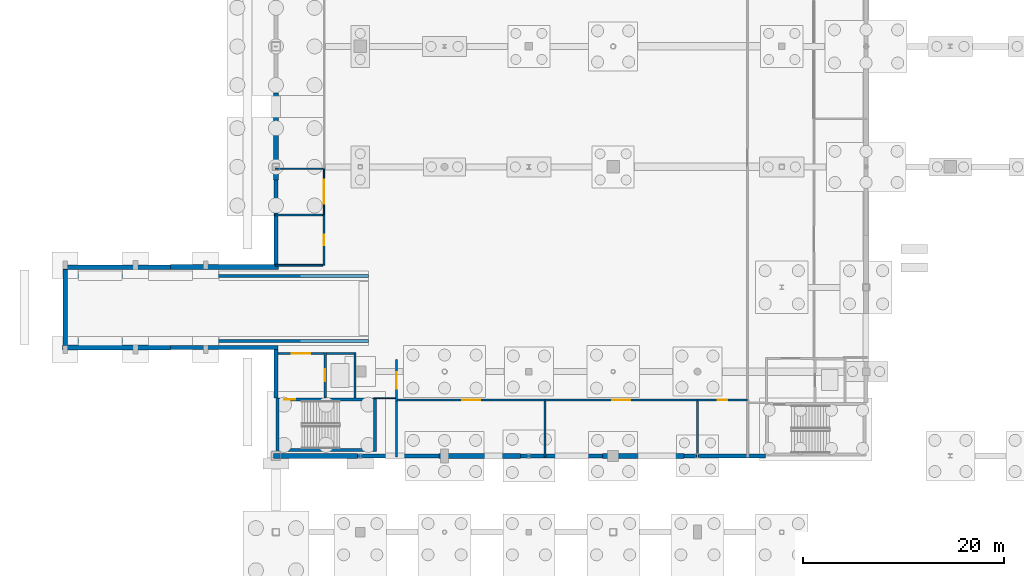
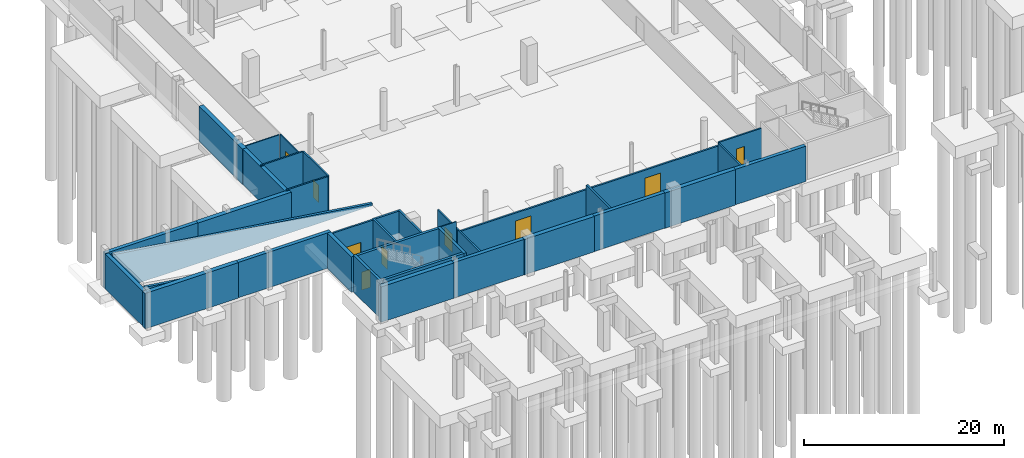
# One storey, part 25 of 34: 37 walls, 9 doors, 9 openings.
"""IFC4 building model written with IfcOpenShell, lengths in metres."""

import ifcopenshell
import ifcopenshell.guid

model = None  # the IFC model being written
_history = None  # IfcOwnerHistory: only IFC2X3 demands one
_inside = {}  # id of a spatial element -> (the spatial element, [elements in it])
_under = {}  # id of a project, library or spatial element -> (it, [spatial elements below it])
_declared = {}  # id of a project -> (the project, [libraries it declares])
_typed = {}  # id of a type object -> (the type object, [elements of that type])
_made_of = {}  # id of a material, layer set ... -> (it, [elements and type objects made of it])


def new_model(schema):
    """Start an empty IFC model of exactly this schema.

    Asked for "IFC4X3", IfcOpenShell would pick the latest addendum, in which some entities
    have other attributes; the version numbers below select the first issue.
    IFC2X3 requires an IfcOwnerHistory on every rooted entity: one is made here for all.
    """
    global model, _history
    if schema == "IFC4X3":
        model = ifcopenshell.file(schema_version=(4, 3, 0, 0))
    else:
        model = ifcopenshell.file(schema=schema)
    _inside.clear()
    _under.clear()
    _declared.clear()
    _typed.clear()
    _made_of.clear()
    _history = None
    if model.schema == "IFC2X3":
        org = make("IfcOrganization", Name="unknown")
        user = make(
            "IfcPersonAndOrganization",
            ThePerson=make("IfcPerson", FamilyName="unknown"),
            TheOrganization=org,
        )
        app = make(
            "IfcApplication",
            ApplicationDeveloper=org,
            Version="unknown",
            ApplicationFullName="unknown",
            ApplicationIdentifier="unknown",
        )
        _history = make(
            "IfcOwnerHistory",
            OwningUser=user,
            OwningApplication=app,
            ChangeAction="ADDED",
            CreationDate=0,
        )
    return model


def make(cls, **values):
    """One entity of the class cls with the attributes given. An attribute that is None is left unset."""
    return model.create_entity(
        cls, **{name: value for name, value in values.items() if value is not None}
    )


def rooted(cls, **values):
    """An entity with a GlobalId (a new one), such as an element, a storey or a relation."""
    return make(cls, GlobalId=ifcopenshell.guid.new(), OwnerHistory=_history, **values)


def si_unit(unit_type, name, prefix=None):
    """IfcSIUnit, for example si_unit("LENGTHUNIT", "METRE", prefix="MILLI")."""
    return make("IfcSIUnit", UnitType=unit_type, Prefix=prefix, Name=name)


def assignment(units):
    """IfcUnitAssignment: the units of a project."""
    return None if units is None else make("IfcUnitAssignment", Units=units)


def point(xyz):
    """IfcCartesianPoint."""
    return None if xyz is None else make("IfcCartesianPoint", Coordinates=xyz)


def direction(xyz):
    """IfcDirection."""
    return None if xyz is None else make("IfcDirection", DirectionRatios=xyz)


def frame(location, z_axis=None, x_axis=None):
    """IfcAxis2Placement3D, a coordinate frame: its origin and axes. An axis left out is left unset."""
    return make(
        "IfcAxis2Placement3D",
        Location=point(location),
        Axis=direction(z_axis),
        RefDirection=direction(x_axis),
    )


def frame_2d(location, x_axis=None):
    """IfcAxis2Placement2D, a coordinate frame in the plane: its origin and x axis."""
    return make(
        "IfcAxis2Placement2D", Location=point(location), RefDirection=direction(x_axis)
    )


def origin():
    """The frame at (0, 0, 0) with its axes left unset."""
    return frame((0.0, 0.0, 0.0))


def place(relative_to, where):
    """IfcLocalPlacement: puts the frame where relative to a parent placement (None: the world)."""
    return make(
        "IfcLocalPlacement", PlacementRelTo=relative_to, RelativePlacement=where
    )


def context(
    kind, dimensions, precision=None, world=None, true_north=None, identifier=None
):
    """IfcGeometricRepresentationContext, for example the 3D "Model" context."""
    return make(
        "IfcGeometricRepresentationContext",
        ContextIdentifier=identifier,
        ContextType=kind,
        CoordinateSpaceDimension=dimensions,
        Precision=precision,
        WorldCoordinateSystem=world,
        TrueNorth=true_north,
    )


def subcontext(parent, identifier, kind, view, scale=None):
    """IfcGeometricRepresentationSubContext, for example "Body" below "Model"."""
    return make(
        "IfcGeometricRepresentationSubContext",
        ContextIdentifier=identifier,
        ContextType=kind,
        ParentContext=parent,
        TargetScale=scale,
        TargetView=view,
    )


def project(units=None, contexts=None):
    """IfcProject with its units and contexts."""
    return rooted(
        "IfcProject",
        Name="project",
        RepresentationContexts=contexts,
        UnitsInContext=assignment(units),
    )


def spatial(cls, under=None, at=None, **own):
    """A site, building, storey or space (cls), placed at a placement, below another one or the project."""
    s = rooted(cls, ObjectPlacement=at, **own)
    if under is not None:
        _under.setdefault(under.id(), (under, []))[1].append(s)
    return s


def polyline(points):
    """IfcPolyline through the points."""
    return make("IfcPolyline", Points=[point(p) for p in points])


def profile(cls, at=None, kind="AREA", **sizes):
    """A parametric profile (cls). Its sizes go by their IFC names, for example OverallWidth=200.0."""
    return make(cls, ProfileType=kind, Position=at, **sizes)


def rectangle(**sizes):
    """IfcRectangleProfileDef."""
    return profile("IfcRectangleProfileDef", **sizes)


def outline(outer, holes=None, kind="AREA"):
    """IfcArbitraryClosedProfileDef: a profile drawn as a closed curve; with holes, ...WithVoids."""
    if holes is None:
        return make("IfcArbitraryClosedProfileDef", ProfileType=kind, OuterCurve=outer)
    return make(
        "IfcArbitraryProfileDefWithVoids",
        ProfileType=kind,
        OuterCurve=outer,
        InnerCurves=holes,
    )


def extrude(swept, where, along, depth):
    """IfcExtrudedAreaSolid: the profile swept, set in the frame where, extruded along a direction by depth."""
    return make(
        "IfcExtrudedAreaSolid",
        SweptArea=swept,
        Position=where,
        ExtrudedDirection=direction(along),
        Depth=depth,
    )


def shape(context_of_items, identifier, shape_type, items):
    """IfcShapeRepresentation: the items that make up one representation, for example the "Body"."""
    return make(
        "IfcShapeRepresentation",
        ContextOfItems=context_of_items,
        RepresentationIdentifier=identifier,
        RepresentationType=shape_type,
        Items=items,
    )


def material(Name=None, Category=None):
    """IfcMaterial."""
    return make("IfcMaterial", Name=Name, Category=Category)


def layer(
    of_material, thickness, ventilated=None, Name=None, Category=None, Priority=None
):
    """IfcMaterialLayer: one layer of a wall or slab, of a material (None: an air gap)."""
    return make(
        "IfcMaterialLayer",
        Material=of_material,
        LayerThickness=thickness,
        IsVentilated=ventilated,
        Name=Name,
        Category=Category,
        Priority=Priority,
    )


def layer_set(layers, Name=None):
    """IfcMaterialLayerSet."""
    return make("IfcMaterialLayerSet", MaterialLayers=layers, LayerSetName=Name)


def made_of(thing, what):
    """Note that an element or type object is made of a material, layer set ...; save() writes the relation."""
    if what is not None:
        _made_of.setdefault(what.id(), (what, []))[1].append(thing)
    return thing


def type_object(cls, material=None, **own):
    """A type object (cls), such as IfcWallType, which elements share."""
    return made_of(rooted(cls, **own), material)


def element(
    cls,
    number,
    at=None,
    inside=None,
    cuts=None,
    type_object=None,
    material=None,
    context=None,
    identifier="Body",
    shape_type=None,
    held_by="IfcProductDefinitionShape",
    body=None,
    shapes=None,
    **own,
):
    """One element of the class cls, such as IfcWall. Its Tag is "e" and its number.

    at: its placement. inside: the storey or other place that contains it. cuts: it is an
    opening in that element (IfcRelVoidsElement). A single representation is given by context,
    identifier, shape_type and body (its items); several are given by shapes. held_by: the class
    of the entity that holds the representations. save() writes the other relations.
    """
    e = rooted(cls, Tag="e%d" % number, ObjectPlacement=at, **own)
    if body is not None:
        shapes = [shape(context, identifier, shape_type, body)]
    if shapes is not None:
        e.Representation = make(held_by, Representations=shapes)
    if inside is not None:
        _inside.setdefault(inside.id(), (inside, []))[1].append(e)
    if cuts is not None:
        rooted(
            "IfcRelVoidsElement", RelatingBuildingElement=cuts, RelatedOpeningElement=e
        )
    if type_object is not None:
        _typed.setdefault(type_object.id(), (type_object, []))[1].append(e)
    return made_of(e, material)


def fill(opening, filler):
    """IfcRelFillsElement: the door or window that sits in an opening."""
    return rooted(
        "IfcRelFillsElement",
        RelatingOpeningElement=opening,
        RelatedBuildingElement=filler,
    )


def aggregate(whole, parts):
    """IfcRelAggregates: a whole, such as a stair, and the parts it consists of."""
    return rooted("IfcRelAggregates", RelatingObject=whole, RelatedObjects=parts)


def save(model, path):
    """Write the relations noted so far, then the file.

    IfcRelAggregates (storeys below a building ...), IfcRelContainedInSpatialStructure (elements
    in a storey), IfcRelDefinesByType, IfcRelAssociatesMaterial and IfcRelDeclares: one each for
    every whole, place, type object, material and project.
    """
    for whole, parts in _under.values():
        aggregate(whole, parts)
    for where, things in _inside.values():
        rooted(
            "IfcRelContainedInSpatialStructure",
            RelatedElements=things,
            RelatingStructure=where,
        )
    for kind, things in _typed.values():
        rooted("IfcRelDefinesByType", RelatedObjects=things, RelatingType=kind)
    for what, things in _made_of.values():
        rooted("IfcRelAssociatesMaterial", RelatedObjects=things, RelatingMaterial=what)
    for by, libraries in _declared.values():
        rooted("IfcRelDeclares", RelatingContext=by, RelatedDefinitions=libraries)
    model.write(path)


model = new_model("IFC4")

# Units and contexts
model_context = context("Model", 3, precision=1e-05, world=origin(), true_north=direction((0.0, 1.0)))
body_context = subcontext(model_context, "Body", "Model", "MODEL_VIEW")
ifc_project = project(units=[si_unit("LENGTHUNIT", "METRE"), si_unit("AREAUNIT", "SQUARE_METRE"), si_unit("VOLUMEUNIT", "CUBIC_METRE"), si_unit("PLANEANGLEUNIT", "RADIAN"), si_unit("MASSUNIT", "GRAM", prefix="KILO")], contexts=[model_context])

# Site, building, storey
site_placement = place(None, origin())
site = spatial("IfcSite", under=ifc_project, at=site_placement, CompositionType="ELEMENT")
building_placement = place(site_placement, origin())
building = spatial("IfcBuilding", under=site, at=building_placement, Name="Larkvane Passage Sports Hall", CompositionType="ELEMENT")
storey_placement = place(building_placement, frame((0.0, 0.0, -4.800048828125)))
storey = spatial("IfcBuildingStorey", under=building, at=storey_placement, Name="B01", CompositionType="ELEMENT", Elevation=-4.800048828125)

# Walls
ifc_material_1 = material(Name="Concrete C50/60", Category="concrete")
ifc_layer_1 = layer(ifc_material_1, 0.300048828125)
ifc_layer_set_1 = layer_set([ifc_layer_1], Name="Concrete C50/60")
wall_type_1 = type_object("IfcWallType", Name="WL-CORE-300", PredefinedType="SHEAR", material=ifc_layer_set_1)
for number, where, z_axis, x_axis, name in (
    (1, (34.949951171875, 23.25, 0.0), (0.0, 0.0, 1.0), (0.0, 1.0, 0.0), "Core shear wall WAL-CORE-C1-B01-W"),
    (2, (44.64990234375, 28.550048828125, 0.0), (0.0, 0.0, 1.0), (0.0, -1.0, 0.0), "Core shear wall WAL-CORE-C1-B01-E"),
):
    element("IfcWall", number, at=place(storey_placement, frame(where, z_axis=z_axis, x_axis=x_axis)), inside=storey, type_object=wall_type_1, Name=name, PredefinedType="SHEAR", context=body_context, shape_type="SweptSolid", body=[
        extrude(rectangle(XDim=5.300048828125, YDim=0.300048828125, at=frame_2d((2.64990234375, 0.0))), origin(), (0.0, 0.0, 1.0), 4.510009765625),
    ])
wall_1_placement = place(storey_placement, frame((44.5, 23.39990234375, 0.0), z_axis=(0.0, 0.0, 1.0), x_axis=(-1.0, 0.0, 0.0)))
element("IfcWall", 3, at=wall_1_placement, inside=storey, type_object=wall_type_1, Name="Core shear wall WAL-CORE-C1-B01-S", PredefinedType="SHEAR", context=body_context, shape_type="SweptSolid", body=[
    extrude(rectangle(XDim=9.39990234375, YDim=0.300048828125, at=frame_2d((4.699951171875, 0.0))), origin(), (0.0, 0.0, 1.0), 4.510009765625),
])

# Wall, opening, door
wall_2_placement = place(storey_placement, frame((35.10009765625, 28.39990234375, 0.0), z_axis=(0.0, 0.0, 1.0), x_axis=(1.0, 0.0, 0.0)))
wall_2 = element("IfcWall", 4, at=wall_2_placement, inside=storey, type_object=wall_type_1, Name="Core shear wall WAL-CORE-C1-B01-N", PredefinedType="SHEAR", context=body_context, shape_type="SweptSolid", body=[
    extrude(rectangle(XDim=9.39990234375, YDim=0.300048828125, at=frame_2d((4.699951171875, 0.0))), origin(), (0.0, 0.0, 1.0), 4.510009765625),
])
opening_1_placement = place(wall_2_placement, frame((0.550048828125, 0.0, 0.0)))
opening_1 = element("IfcOpeningElement", 5, at=opening_1_placement, cuts=wall_2, Name="Opening DF-01", PredefinedType="OPENING", context=body_context, shape_type="SweptSolid", body=[
    extrude(rectangle(XDim=1.050048828125, YDim=2.199951171875, at=frame_2d((0.52490234375, 1.10009765625))), frame((0.0, 0.159912109375, 0.0), z_axis=(0.0, -1.0, 0.0), x_axis=(1.0, 0.0, 0.0)), (0.0, 0.0, 1.0), 0.320068359375),
])
ifc_material_2 = material(Name="Steel S355JR smoke-sealed fire door", Category="steel")
door_type_1 = type_object("IfcDoorType", Name="DR-FIRE-1050", OperationType="NOTDEFINED", PredefinedType="DOOR", material=ifc_material_2)
door_1_placement = place(opening_1_placement, origin())
door_1 = element("IfcDoor", 6, at=door_1_placement, inside=storey, type_object=door_type_1, Name="Stair ST-01 B01 fire door", OperationType="SINGLE_SWING_LEFT", OverallHeight=2.199951171875, OverallWidth=1.050048828125, PredefinedType="DOOR", context=body_context, shape_type="SweptSolid", body=[
    extrude(rectangle(XDim=1.050048828125, YDim=2.199951171875, at=frame_2d((0.52490234375, 1.10009765625))), frame((0.0, 0.02490234375, 0.0), z_axis=(0.0, -1.0, 0.0), x_axis=(1.0, 0.0, 0.0)), (0.0, 0.0, 1.0), 0.050048828125),
])
fill(opening_1, door_1)

ifc_material_3 = material(Name="Concrete C40/50", Category="concrete")
ifc_layer_2 = layer(ifc_material_3, 0.199951171875)
ifc_layer_set_2 = layer_set([ifc_layer_2], Name="Concrete C40/50")
wall_type_2 = type_object("IfcWallType", Name="WL-LOBBY-200", PredefinedType="SOLIDWALL", material=ifc_layer_set_2)
wall_3_placement = place(storey_placement, frame((35.0, 33.0, 0.0), z_axis=(0.0, 0.0, 1.0), x_axis=(1.0, 0.0, 0.0)))
wall_3 = element("IfcWall", 7, at=wall_3_placement, inside=storey, type_object=wall_type_2, Name="Protected stair lobby wall C1 B01", PredefinedType="SOLIDWALL", context=body_context, shape_type="SweptSolid", body=[
    extrude(rectangle(XDim=4.60009765625, YDim=0.199951171875, at=frame_2d((2.300048828125, 0.0))), origin(), (0.0, 0.0, 1.0), 4.449951171875),
])
opening_2_placement = place(wall_3_placement, frame((1.39990234375, 0.0, 0.0)))
opening_2 = element("IfcOpeningElement", 8, at=opening_2_placement, cuts=wall_3, Name="Opening DF-02", PredefinedType="OPENING", context=body_context, shape_type="SweptSolid", body=[
    extrude(rectangle(XDim=1.800048828125, YDim=2.199951171875, at=frame_2d((0.89990234375, 1.10009765625))), frame((0.0, 0.10986328125, 0.0), z_axis=(0.0, -1.0, 0.0), x_axis=(1.0, 0.0, 0.0)), (0.0, 0.0, 1.0), 0.219970703125),
])
ifc_material_4 = material(Name="Steel S355JR double smoke-sealed fire door", Category="steel")
door_type_2 = type_object("IfcDoorType", Name="DR-FIRE-1800", OperationType="DOUBLE_DOOR_SINGLE_SWING", PredefinedType="DOOR", material=ifc_material_4)
door_2_placement = place(opening_2_placement, origin())
door_2 = element("IfcDoor", 9, at=door_2_placement, inside=storey, type_object=door_type_2, Name="Lobby smoke door C1 B01", OperationType="DOUBLE_DOOR_SINGLE_SWING", OverallHeight=2.199951171875, OverallWidth=1.800048828125, PredefinedType="DOOR", context=body_context, shape_type="SweptSolid", body=[
    extrude(rectangle(XDim=1.800048828125, YDim=2.199951171875, at=frame_2d((0.89990234375, 1.10009765625))), frame((0.0, 0.02490234375, 0.0), z_axis=(0.0, -1.0, 0.0), x_axis=(1.0, 0.0, 0.0)), (0.0, 0.0, 1.0), 0.050048828125),
])
fill(opening_2, door_2)

# Wall
wall_4_placement = place(storey_placement, frame((46.800048828125, 22.68603515625, 0.0), z_axis=(0.0, 0.0, 1.0), x_axis=(0.0, 1.0, 0.0)))
element("IfcWall", 10, at=wall_4_placement, inside=storey, type_object=wall_type_2, Name="Interior partition WAL-PART-B01-0001", PredefinedType="SOLIDWALL", context=body_context, shape_type="SweptSolid", body=[
    extrude(rectangle(XDim=5.69384765625, YDim=0.199951171875, at=frame_2d((2.846923828125, 0.0))), origin(), (0.0, 0.0, 1.0), 3.52001953125),
])

# Wall, opening, door
wall_5_placement = place(storey_placement, frame((46.919921875, 28.3798828125, 0.0), z_axis=(0.0, 0.0, 1.0), x_axis=(1.0, 0.0, 0.0)))
wall_5 = element("IfcWall", 11, at=wall_5_placement, inside=storey, type_object=wall_type_2, Name="Interior partition WAL-PART-B01-0002", PredefinedType="SOLIDWALL", context=body_context, shape_type="SweptSolid", body=[
    extrude(rectangle(XDim=14.68017578125, YDim=0.199951171875, at=frame_2d((7.340087890625, 0.0))), origin(), (0.0, 0.0, 1.0), 3.27001953125),
])
opening_3_placement = place(wall_5_placement, frame((6.43994140625, 0.0, 0.0)))
opening_3 = element("IfcOpeningElement", 12, at=opening_3_placement, cuts=wall_5, Name="Opening DR-01", PredefinedType="OPENING", context=body_context, shape_type="SweptSolid", body=[
    extrude(rectangle(XDim=1.800048828125, YDim=2.300048828125, at=frame_2d((0.89990234375, 1.14990234375))), frame((0.0, 0.10986328125, 0.0), z_axis=(0.0, -1.0, 0.0), x_axis=(1.0, 0.0, 0.0)), (0.0, 0.0, 1.0), 0.219970703125),
])
ifc_material_5 = material(Name="Louvred acoustic steel S355JR plant door", Category="steel")
door_type_3 = type_object("IfcDoorType", Name="DR-PLANT-1800", OperationType="DOUBLE_DOOR_SINGLE_SWING", PredefinedType="DOOR", material=ifc_material_5)
door_3_placement = place(opening_3_placement, origin())
door_3 = element("IfcDoor", 13, at=door_3_placement, inside=storey, type_object=door_type_3, Name="Interior door B01-0004", OperationType="DOUBLE_DOOR_SINGLE_SWING", OverallHeight=2.300048828125, OverallWidth=1.800048828125, PredefinedType="DOOR", context=body_context, shape_type="SweptSolid", body=[
    extrude(rectangle(XDim=1.800048828125, YDim=2.300048828125, at=frame_2d((0.89990234375, 1.14990234375))), frame((0.0, 0.02490234375, 0.0), z_axis=(0.0, -1.0, 0.0), x_axis=(1.0, 0.0, 0.0)), (0.0, 0.0, 1.0), 0.050048828125),
])
fill(opening_3, door_3)

# Wall
wall_6_placement = place(storey_placement, frame((61.60009765625, 28.260009765625, 0.0), z_axis=(0.0, 0.0, 1.0), x_axis=(0.0, -1.0, 0.0)))
element("IfcWall", 14, at=wall_6_placement, inside=storey, type_object=wall_type_2, Name="Interior partition WAL-PART-B01-0003", PredefinedType="SOLIDWALL", context=body_context, shape_type="SweptSolid", body=[
    extrude(rectangle(XDim=5.573974609375, YDim=0.199951171875, at=frame_2d((2.787109375, 0.0))), origin(), (0.0, 0.0, 1.0), 3.8701171875),
])

# Wall, opening, door
wall_7_placement = place(storey_placement, frame((61.6201171875, 28.3798828125, 0.0), z_axis=(0.0, 0.0, 1.0), x_axis=(1.0, 0.0, 0.0)))
wall_7 = element("IfcWall", 15, at=wall_7_placement, inside=storey, type_object=wall_type_2, Name="Interior partition WAL-PART-B01-0004", PredefinedType="SOLIDWALL", context=body_context, shape_type="SweptSolid", body=[
    extrude(rectangle(XDim=15.179931640625, YDim=0.199951171875, at=frame_2d((7.58984375, 0.0))), origin(), (0.0, 0.0, 1.0), 3.27001953125),
])
opening_4_placement = place(wall_7_placement, frame((6.68994140625, 0.0, 0.0)))
opening_4 = element("IfcOpeningElement", 16, at=opening_4_placement, cuts=wall_7, Name="Opening DR-01", PredefinedType="OPENING", context=body_context, shape_type="SweptSolid", body=[
    extrude(rectangle(XDim=1.800048828125, YDim=2.300048828125, at=frame_2d((0.89990234375, 1.14990234375))), frame((0.0, 0.10986328125, 0.0), z_axis=(0.0, -1.0, 0.0), x_axis=(1.0, 0.0, 0.0)), (0.0, 0.0, 1.0), 0.219970703125),
])
door_4_placement = place(opening_4_placement, origin())
door_4 = element("IfcDoor", 17, at=door_4_placement, inside=storey, type_object=door_type_3, Name="Interior door B01-0003", OperationType="DOUBLE_DOOR_SINGLE_SWING", OverallHeight=2.300048828125, OverallWidth=1.800048828125, PredefinedType="DOOR", context=body_context, shape_type="SweptSolid", body=[
    extrude(rectangle(XDim=1.800048828125, YDim=2.300048828125, at=frame_2d((0.89990234375, 1.14990234375))), frame((0.0, 0.02490234375, 0.0), z_axis=(0.0, -1.0, 0.0), x_axis=(1.0, 0.0, 0.0)), (0.0, 0.0, 1.0), 0.050048828125),
])
fill(opening_4, door_4)

# Walls
wall_8_placement = place(storey_placement, frame((76.800048828125, 28.260009765625, 0.0), z_axis=(0.0, 0.0, 1.0), x_axis=(0.0, -1.0, 0.0)))
element("IfcWall", 18, at=wall_8_placement, inside=storey, type_object=wall_type_2, Name="Interior partition WAL-PART-B01-0005", PredefinedType="SOLIDWALL", context=body_context, shape_type="SweptSolid", body=[
    extrude(rectangle(XDim=5.573974609375, YDim=0.199951171875, at=frame_2d((2.787109375, 0.0))), origin(), (0.0, 0.0, 1.0), 3.6201171875),
])
ifc_material_6 = material(Name="Gypsum twin-stud acoustic partition")
ifc_layer_3 = layer(ifc_material_6, 0.10009765625)
ifc_layer_set_3 = layer_set([ifc_layer_3], Name="Gypsum twin-stud acoustic partition")
wall_type_3 = type_object("IfcWallType", Name="WL-PART-100", PredefinedType="PARTITIONING", material=ifc_layer_set_3)
wall_9_placement = place(storey_placement, frame((46.679931640625, 28.550048828125, 0.0), z_axis=(0.0, 0.0, 1.0), x_axis=(-1.0, 0.0, 0.0)))
element("IfcWall", 19, at=wall_9_placement, inside=storey, type_object=wall_type_3, Name="Interior partition WAL-PART-B01-0033", PredefinedType="PARTITIONING", context=body_context, shape_type="SweptSolid", body=[
    extrude(rectangle(XDim=2.139892578125, YDim=0.10009765625, at=frame_2d((1.06982421875, 0.0))), origin(), (0.0, 0.0, 1.0), 4.449951171875),
])

# Wall, opening, door
ifc_material_7 = material(Name="Gypsum twin-stud fire-rated partition")
ifc_layer_4 = layer(ifc_material_7, 0.125)
ifc_layer_set_4 = layer_set([ifc_layer_4], Name="Gypsum twin-stud fire-rated partition")
wall_type_4 = type_object("IfcWallType", Name="WL-PART-125", PredefinedType="PARTITIONING", material=ifc_layer_set_4)
wall_10_placement = place(storey_placement, frame((39.580078125, 51.39990234375, 0.0), z_axis=(0.0, 0.0, 1.0), x_axis=(0.0, -1.0, 0.0)))
wall_10 = element("IfcWall", 20, at=wall_10_placement, inside=storey, type_object=wall_type_4, Name="Interior partition WAL-PART-B01-0027", PredefinedType="PARTITIONING", context=body_context, shape_type="SweptSolid", body=[
    extrude(rectangle(XDim=4.579833984375, YDim=0.125, at=frame_2d((2.2900390625, 0.0))), origin(), (0.0, 0.0, 1.0), 3.719970703125),
])
opening_5_placement = place(wall_10_placement, frame((1.090087890625, 0.0, 0.0)))
opening_5 = element("IfcOpeningElement", 21, at=opening_5_placement, cuts=wall_10, Name="Opening FD-01", PredefinedType="OPENING", context=body_context, shape_type="SweptSolid", body=[
    extrude(rectangle(XDim=2.39990234375, YDim=2.300048828125, at=frame_2d((1.199951171875, 1.14990234375))), frame((0.0, 0.072509765625, 0.0), z_axis=(0.0, -1.0, 0.0), x_axis=(1.0, 0.0, 0.0)), (0.0, 0.0, 1.0), 0.14501953125),
])
ifc_material_8 = material(Name="Bi-fold steel S355JR equipment store door", Category="steel")
door_type_4 = type_object("IfcDoorType", Name="DR-FOLD-2400", OperationType="FOLDING_TO_LEFT", PredefinedType="DOOR", material=ifc_material_8)
door_5_placement = place(opening_5_placement, origin())
door_5 = element("IfcDoor", 22, at=door_5_placement, inside=storey, type_object=door_type_4, Name="Interior door B01-0011", OperationType="FOLDING_TO_LEFT", OverallHeight=2.300048828125, OverallWidth=2.39990234375, PredefinedType="DOOR", context=body_context, shape_type="SweptSolid", body=[
    extrude(rectangle(XDim=2.39990234375, YDim=2.300048828125, at=frame_2d((1.199951171875, 1.14990234375))), frame((0.0, 0.02490234375, 0.0), z_axis=(0.0, -1.0, 0.0), x_axis=(1.0, 0.0, 0.0)), (0.0, 0.0, 1.0), 0.050048828125),
])
fill(opening_5, door_5)

# Wall
wall_11_placement = place(storey_placement, frame((34.72607421875, 51.39990234375, 0.0), z_axis=(0.0, 0.0, 1.0), x_axis=(1.0, 0.0, 0.0)))
element("IfcWall", 23, at=wall_11_placement, inside=storey, type_object=wall_type_4, Name="Interior partition WAL-PART-B01-0028", PredefinedType="PARTITIONING", context=body_context, shape_type="SweptSolid", body=[
    extrude(rectangle(XDim=4.73388671875, YDim=0.125, at=frame_2d((2.366943359375, 0.0))), origin(), (0.0, 0.0, 1.0), 3.719970703125),
])

# Wall, opening, door
ifc_material_9 = material(Name="Gypsum high-bay court partition")
ifc_layer_5 = layer(ifc_material_9, 0.179931640625)
ifc_layer_set_5 = layer_set([ifc_layer_5], Name="Gypsum high-bay court partition")
wall_type_5 = type_object("IfcWallType", Name="WL-PART-180", PredefinedType="PARTITIONING", material=ifc_layer_set_5)
wall_12_placement = place(storey_placement, frame((46.800048828125, 32.39990234375, 0.0), z_axis=(0.0, 0.0, 1.0), x_axis=(0.0, -1.0, 0.0)))
wall_12 = element("IfcWall", 24, at=wall_12_placement, inside=storey, type_object=wall_type_5, Name="Interior partition WAL-PART-B01-0032", PredefinedType="PARTITIONING", context=body_context, shape_type="SweptSolid", body=[
    extrude(rectangle(XDim=4.169921875, YDim=0.179931640625, at=frame_2d((2.0849609375, 0.0))), origin(), (0.0, 0.0, 1.0), 3.52001953125),
])
opening_6_placement = place(wall_12_placement, frame((1.284912109375, 0.0, 0.0)))
opening_6 = element("IfcOpeningElement", 25, at=opening_6_placement, cuts=wall_12, Name="Opening DI-03", PredefinedType="OPENING", context=body_context, shape_type="SweptSolid", body=[
    extrude(rectangle(XDim=1.60009765625, YDim=2.199951171875, at=frame_2d((0.800048828125, 1.10009765625))), frame((0.0, 0.099853515625, 0.0), z_axis=(0.0, -1.0, 0.0), x_axis=(1.0, 0.0, 0.0)), (0.0, 0.0, 1.0), 0.199951171875),
])
ifc_material_10 = material(Name="Glazed aluminium studio double door", Category="aluminium")
door_type_5 = type_object("IfcDoorType", Name="DR-INT-1600", OperationType="DOUBLE_DOOR_SINGLE_SWING", PredefinedType="DOOR", material=ifc_material_10)
door_6_placement = place(opening_6_placement, origin())
door_6 = element("IfcDoor", 26, at=door_6_placement, inside=storey, type_object=door_type_5, Name="Interior door B01-0014", OperationType="DOUBLE_DOOR_SINGLE_SWING", OverallHeight=2.199951171875, OverallWidth=1.60009765625, PredefinedType="DOOR", context=body_context, shape_type="SweptSolid", body=[
    extrude(rectangle(XDim=1.60009765625, YDim=2.199951171875, at=frame_2d((0.800048828125, 1.10009765625))), frame((0.0, 0.02490234375, 0.0), z_axis=(0.0, -1.0, 0.0), x_axis=(1.0, 0.0, 0.0)), (0.0, 0.0, 1.0), 0.050048828125),
])
fill(opening_6, door_6)

ifc_material_11 = material(Name="Moisture-resistant shaftliner partition")
ifc_layer_6 = layer(ifc_material_11, 0.175048828125)
ifc_layer_set_6 = layer_set([ifc_layer_6], Name="Moisture-resistant shaftliner partition")
wall_type_6 = type_object("IfcWallType", Name="WL-PLUMB-175", PredefinedType="PLUMBINGWALL", material=ifc_layer_set_6)
wall_13_placement = place(storey_placement, frame((76.820068359375, 28.3798828125, 0.0), z_axis=(0.0, 0.0, 1.0), x_axis=(1.0, 0.0, 0.0)))
wall_13 = element("IfcWall", 27, at=wall_13_placement, inside=storey, type_object=wall_type_6, Name="Interior partition WAL-PART-B01-0022", PredefinedType="PLUMBINGWALL", context=body_context, shape_type="SweptSolid", body=[
    extrude(rectangle(XDim=4.9599609375, YDim=0.175048828125, at=frame_2d((2.47998046875, 0.0))), origin(), (0.0, 0.0, 1.0), 3.670166015625),
])
opening_7_placement = place(wall_13_placement, frame((2.02001953125, 0.0, 0.0)))
opening_7 = element("IfcOpeningElement", 28, at=opening_7_placement, cuts=wall_13, Name="Opening DI-02", PredefinedType="OPENING", context=body_context, shape_type="SweptSolid", body=[
    extrude(rectangle(XDim=0.919921875, YDim=2.14990234375, at=frame_2d((0.4599609375, 1.074951171875))), frame((0.0, 0.097412109375, 0.0), z_axis=(0.0, -1.0, 0.0), x_axis=(1.0, 0.0, 0.0)), (0.0, 0.0, 1.0), 0.195068359375),
])
ifc_material_12 = material(Name="Moisture-resistant laminate room door")
door_type_6 = type_object("IfcDoorType", Name="DR-INT-900", OperationType="NOTDEFINED", PredefinedType="DOOR", material=ifc_material_12)
door_7_placement = place(opening_7_placement, origin())
door_7 = element("IfcDoor", 29, at=door_7_placement, inside=storey, type_object=door_type_6, Name="Interior door B01-0010", OperationType="SINGLE_SWING_RIGHT", OverallHeight=2.14990234375, OverallWidth=0.919921875, PredefinedType="DOOR", context=body_context, shape_type="SweptSolid", body=[
    extrude(rectangle(XDim=0.919921875, YDim=2.14990234375, at=frame_2d((0.4599609375, 1.074951171875))), frame((0.0, 0.02490234375, 0.0), z_axis=(0.0, -1.0, 0.0), x_axis=(1.0, 0.0, 0.0)), (0.0, 0.0, 1.0), 0.050048828125),
])
fill(opening_7, door_7)

wall_14_placement = place(storey_placement, frame((39.580078125, 46.800048828125, 0.0), z_axis=(0.0, 0.0, 1.0), x_axis=(0.0, -1.0, 0.0)))
wall_14 = element("IfcWall", 30, at=wall_14_placement, inside=storey, type_object=wall_type_6, Name="Interior partition WAL-PART-B01-0024", PredefinedType="PLUMBINGWALL", context=body_context, shape_type="SweptSolid", body=[
    extrude(rectangle(XDim=5.0, YDim=0.175048828125, at=frame_2d((2.5, 0.0))), origin(), (0.0, 0.0, 1.0), 4.449951171875),
])
opening_8_placement = place(wall_14_placement, frame((1.97509765625, 0.0, 0.0)))
opening_8 = element("IfcOpeningElement", 31, at=opening_8_placement, cuts=wall_14, Name="Opening DI-04", PredefinedType="OPENING", context=body_context, shape_type="SweptSolid", body=[
    extrude(rectangle(XDim=1.050048828125, YDim=2.14990234375, at=frame_2d((0.52490234375, 1.074951171875))), frame((0.0, 0.097412109375, 0.0), z_axis=(0.0, -1.0, 0.0), x_axis=(1.0, 0.0, 0.0)), (0.0, 0.0, 1.0), 0.195068359375),
])
ifc_material_13 = material(Name="Accessible wide-leaf sanitary door")
door_type_7 = type_object("IfcDoorType", Name="DR-ACC-1050", OperationType="NOTDEFINED", PredefinedType="DOOR", material=ifc_material_13)
door_8_placement = place(opening_8_placement, origin())
door_8 = element("IfcDoor", 32, at=door_8_placement, inside=storey, type_object=door_type_7, Name="Interior door B01-0009", OperationType="SINGLE_SWING_LEFT", OverallHeight=2.14990234375, OverallWidth=1.050048828125, PredefinedType="DOOR", context=body_context, shape_type="SweptSolid", body=[
    extrude(rectangle(XDim=1.050048828125, YDim=2.14990234375, at=frame_2d((0.52490234375, 1.074951171875))), frame((0.0, 0.02490234375, 0.0), z_axis=(0.0, -1.0, 0.0), x_axis=(1.0, 0.0, 0.0)), (0.0, 0.0, 1.0), 0.050048828125),
])
fill(opening_8, door_8)

# Walls
wall_15_placement = place(storey_placement, frame((39.4599609375, 41.800048828125, 0.0), z_axis=(0.0, 0.0, 1.0), x_axis=(-1.0, 0.0, 0.0)))
element("IfcWall", 33, at=wall_15_placement, inside=storey, type_object=wall_type_6, Name="Interior partition WAL-PART-B01-0025", PredefinedType="PLUMBINGWALL", context=body_context, shape_type="SweptSolid", body=[
    extrude(rectangle(XDim=4.72998046875, YDim=0.175048828125, at=frame_2d((2.364990234375, 0.0))), origin(), (0.0, 0.0, 1.0), 4.449951171875),
])
wall_16_placement = place(storey_placement, frame((34.68603515625, 46.800048828125, 0.0), z_axis=(0.0, 0.0, 1.0), x_axis=(1.0, 0.0, 0.0)))
element("IfcWall", 34, at=wall_16_placement, inside=storey, type_object=wall_type_6, Name="Interior partition WAL-PART-B01-0026", PredefinedType="PLUMBINGWALL", context=body_context, shape_type="SweptSolid", body=[
    extrude(rectangle(XDim=4.77392578125, YDim=0.175048828125, at=frame_2d((2.386962890625, 0.0))), origin(), (0.0, 0.0, 1.0), 4.449951171875),
])
ifc_layer_7 = layer(ifc_material_1, 0.300048828125)
ifc_layer_set_7 = layer_set([ifc_layer_7], Name="Concrete C50/60")
wall_type_7 = type_object("IfcWallType", Name="WL-RAMP-300", PredefinedType="SHEAR", material=ifc_layer_set_7)
for number, where, z_axis, x_axis, name in (
    (35, (14.0, 34.25, 0.0), (0.0, 0.0, 1.0), (1.0, 0.0, 0.0), "Vehicle ramp flanking wall S"),
    (36, (14.0, 40.75, 0.0), (0.0, 0.0, 1.0), (1.0, 0.0, 0.0), "Vehicle ramp flanking wall N"),
):
    element("IfcWall", number, at=place(storey_placement, frame(where, z_axis=z_axis, x_axis=x_axis)), inside=storey, type_object=wall_type_7, Name=name, PredefinedType="SHEAR", context=body_context, shape_type="SweptSolid", body=[
        extrude(outline(polyline([(0.0, 0.0), (30.0, 0.0), (30.0, 0.25), (0.0, 4.47998046875), (0.0, 0.0)])), frame((0.0, 0.14990234375, 0.0), z_axis=(0.0, -1.0, 0.0), x_axis=(1.0, 0.0, 0.0)), (0.0, 0.0, 1.0), 0.300048828125),
    ])
ifc_layer_8 = layer(ifc_material_3, 0.419921875)
ifc_layer_set_8 = layer_set([ifc_layer_8], Name="Concrete C40/50")
wall_type_8 = type_object("IfcWallType", Name="WL-RET-420", PredefinedType="USERDEFINED", material=ifc_layer_set_8)
wall_17_placement = place(storey_placement, frame((24.300048828125, 33.60009765625, 0.0), z_axis=(0.0, 0.0, 1.0), x_axis=(1.0, 0.0, 0.0)))
element("IfcWall", 37, at=wall_17_placement, inside=storey, type_object=wall_type_8, Name="Basement retaining wall B01-002", ObjectType="RETAININGWALL", PredefinedType="USERDEFINED", context=body_context, shape_type="SweptSolid", body=[
    extrude(rectangle(XDim=10.7099609375, YDim=0.419921875, at=frame_2d((5.35498046875, 0.0))), origin(), (0.0, 0.0, 1.0), 4.320068359375),
])
wall_18_placement = place(storey_placement, frame((34.800048828125, 33.389892578125, 0.0), z_axis=(0.0, 0.0, 1.0), x_axis=(0.0, -1.0, 0.0)))
element("IfcWall", 38, at=wall_18_placement, inside=storey, type_object=wall_type_8, Name="Basement retaining wall B01-003", ObjectType="RETAININGWALL", PredefinedType="USERDEFINED", context=body_context, shape_type="SweptSolid", body=[
    extrude(rectangle(XDim=4.81982421875, YDim=0.419921875, at=frame_2d((2.409912109375, 0.0))), origin(), (0.0, 0.0, 1.0), 4.320068359375),
])
for number, where, z_axis, x_axis, name in (
    (39, (42.929931640625, 22.800048828125, 0.0), (0.0, 0.0, 1.0), (1.0, 0.0, 0.0), "Basement retaining wall B01-005"),
    (40, (59.18994140625, 22.800048828125, 0.0), (0.0, 0.0, 1.0), (1.0, 0.0, 0.0), "Basement retaining wall B01-007"),
    (41, (75.449951171875, 22.800048828125, 0.0), (0.0, 0.0, 1.0), (1.0, 0.0, 0.0), "Basement retaining wall B01-009"),
):
    element("IfcWall", number, at=place(storey_placement, frame(where, z_axis=z_axis, x_axis=x_axis)), inside=storey, type_object=wall_type_8, Name=name, ObjectType="RETAININGWALL", PredefinedType="USERDEFINED", context=body_context, shape_type="SweptSolid", body=[
        extrude(rectangle(XDim=8.130126953125, YDim=0.419921875, at=frame_2d((4.06494140625, 0.0))), origin(), (0.0, 0.0, 1.0), 4.320068359375),
    ])
wall_19_placement = place(storey_placement, frame((34.800048828125, 50.27587890625, 0.0), z_axis=(0.0, 0.0, 1.0), x_axis=(0.0, -1.0, 0.0)))
element("IfcWall", 42, at=wall_19_placement, inside=storey, type_object=wall_type_8, Name="Basement retaining wall B01-028", ObjectType="RETAININGWALL", PredefinedType="USERDEFINED", context=body_context, shape_type="SweptSolid", body=[
    extrude(rectangle(XDim=8.4658203125, YDim=0.419921875, at=frame_2d((4.23291015625, 0.0))), origin(), (0.0, 0.0, 1.0), 4.320068359375),
])
wall_20_placement = place(storey_placement, frame((24.300048828125, 41.60009765625, 0.0), z_axis=(0.0, 0.0, 1.0), x_axis=(-1.0, 0.0, 0.0)))
element("IfcWall", 43, at=wall_20_placement, inside=storey, type_object=wall_type_8, Name="Basement retaining wall B01-030", ObjectType="RETAININGWALL", PredefinedType="USERDEFINED", context=body_context, shape_type="SweptSolid", body=[
    extrude(rectangle(XDim=10.7099609375, YDim=0.419921875, at=frame_2d((5.35498046875, 0.0))), origin(), (0.0, 0.0, 1.0), 4.320068359375),
])
wall_21_placement = place(storey_placement, frame((13.800048828125, 41.389892578125, 0.0), z_axis=(0.0, 0.0, 1.0), x_axis=(0.0, -1.0, 0.0)))
element("IfcWall", 44, at=wall_21_placement, inside=storey, type_object=wall_type_8, Name="Basement retaining wall B01-031", ObjectType="RETAININGWALL", PredefinedType="USERDEFINED", context=body_context, shape_type="SweptSolid", body=[
    extrude(rectangle(XDim=7.579833984375, YDim=0.419921875, at=frame_2d((3.7900390625, 0.0))), origin(), (0.0, 0.0, 1.0), 4.25),
])
ifc_layer_9 = layer(ifc_material_3, 0.5)
ifc_layer_set_9 = layer_set([ifc_layer_9], Name="Concrete C40/50")
wall_type_9 = type_object("IfcWallType", Name="WL-RET-500", PredefinedType="USERDEFINED", material=ifc_layer_set_9)
wall_22_placement = place(storey_placement, frame((13.550048828125, 33.60009765625, 0.0), z_axis=(0.0, 0.0, 1.0), x_axis=(1.0, 0.0, 0.0)))
element("IfcWall", 45, at=wall_22_placement, inside=storey, type_object=wall_type_9, Name="Basement retaining wall B01-001", ObjectType="RETAININGWALL", PredefinedType="USERDEFINED", context=body_context, shape_type="SweptSolid", body=[
    extrude(rectangle(XDim=10.75, YDim=0.5, at=frame_2d((5.375, 0.0))), origin(), (0.0, 0.0, 1.0), 4.320068359375),
])
wall_23_placement = place(storey_placement, frame((34.550048828125, 22.800048828125, 0.0), z_axis=(0.0, 0.0, 1.0), x_axis=(1.0, 0.0, 0.0)))
element("IfcWall", 46, at=wall_23_placement, inside=storey, type_object=wall_type_9, Name="Basement retaining wall B01-004", ObjectType="RETAININGWALL", PredefinedType="USERDEFINED", context=body_context, shape_type="SweptSolid", body=[
    extrude(rectangle(XDim=8.3798828125, YDim=0.5, at=frame_2d((4.18994140625, 0.0))), origin(), (0.0, 0.0, 1.0), 4.320068359375),
])
for number, where, z_axis, x_axis, name in (
    (47, (51.06005859375, 22.800048828125, 0.0), (0.0, 0.0, 1.0), (1.0, 0.0, 0.0), "Basement retaining wall B01-006"),
    (48, (67.320068359375, 22.800048828125, 0.0), (0.0, 0.0, 1.0), (1.0, 0.0, 0.0), "Basement retaining wall B01-008"),
):
    element("IfcWall", number, at=place(storey_placement, frame(where, z_axis=z_axis, x_axis=x_axis)), inside=storey, type_object=wall_type_9, Name=name, ObjectType="RETAININGWALL", PredefinedType="USERDEFINED", context=body_context, shape_type="SweptSolid", body=[
        extrude(rectangle(XDim=8.1298828125, YDim=0.5, at=frame_2d((4.06494140625, 0.0))), origin(), (0.0, 0.0, 1.0), 4.320068359375),
    ])
wall_24_placement = place(storey_placement, frame((34.800048828125, 58.951904296875, 0.0), z_axis=(0.0, 0.0, 1.0), x_axis=(0.0, -1.0, 0.0)))
element("IfcWall", 49, at=wall_24_placement, inside=storey, type_object=wall_type_9, Name="Basement retaining wall B01-027", ObjectType="RETAININGWALL", PredefinedType="USERDEFINED", context=body_context, shape_type="SweptSolid", body=[
    extrude(rectangle(XDim=8.676025390625, YDim=0.5, at=frame_2d((4.337890625, 0.0))), origin(), (0.0, 0.0, 1.0), 4.320068359375),
])
wall_25_placement = place(storey_placement, frame((35.050048828125, 41.60009765625, 0.0), z_axis=(0.0, 0.0, 1.0), x_axis=(-1.0, 0.0, 0.0)))
element("IfcWall", 50, at=wall_25_placement, inside=storey, type_object=wall_type_9, Name="Basement retaining wall B01-029", ObjectType="RETAININGWALL", PredefinedType="USERDEFINED", context=body_context, shape_type="SweptSolid", body=[
    extrude(rectangle(XDim=10.75, YDim=0.5, at=frame_2d((5.375, 0.0))), origin(), (0.0, 0.0, 1.0), 4.320068359375),
])

# Wall, opening, door
ifc_layer_10 = layer(ifc_material_3, 0.219970703125)
ifc_layer_set_10 = layer_set([ifc_layer_10], Name="Concrete C40/50")
wall_type_10 = type_object("IfcWallType", Name="WL-SHAFT-220", PredefinedType="SOLIDWALL", material=ifc_layer_set_10)
wall_26_placement = place(storey_placement, frame((39.7099609375, 28.550048828125, 0.0), z_axis=(0.0, 0.0, 1.0), x_axis=(0.0, 1.0, 0.0)))
wall_26 = element("IfcWall", 51, at=wall_26_placement, inside=storey, type_object=wall_type_10, Name="Lift shaft front wall FL-01 B01", PredefinedType="SOLIDWALL", context=body_context, shape_type="SweptSolid", body=[
    extrude(rectangle(XDim=4.550048828125, YDim=0.219970703125, at=frame_2d((2.27490234375, 0.0))), origin(), (0.0, 0.0, 1.0), 4.510009765625),
])
opening_9_placement = place(wall_26_placement, frame((1.675048828125, 0.0, 0.0)))
opening_9 = element("IfcOpeningElement", 52, at=opening_9_placement, cuts=wall_26, Name="Opening LD-01", PredefinedType="OPENING", context=body_context, shape_type="SweptSolid", body=[
    extrude(rectangle(XDim=1.199951171875, YDim=2.199951171875, at=frame_2d((0.60009765625, 1.10009765625))), frame((0.0, 0.119873046875, 0.0), z_axis=(0.0, -1.0, 0.0), x_axis=(1.0, 0.0, 0.0)), (0.0, 0.0, 1.0), 0.239990234375),
])
ifc_material_14 = material(Name="Stainless steel S355JR lift landing door", Category="steel")
door_type_8 = type_object("IfcDoorType", Name="DR-LIFT-1200", OperationType="SLIDING_TO_LEFT", PredefinedType="DOOR", material=ifc_material_14)
door_9_placement = place(opening_9_placement, origin())
door_9 = element("IfcDoor", 53, at=door_9_placement, inside=storey, type_object=door_type_8, Name="Lift landing door FL-01 B01", OperationType="SLIDING_TO_LEFT", OverallHeight=2.199951171875, OverallWidth=1.199951171875, PredefinedType="DOOR", context=body_context, shape_type="SweptSolid", body=[
    extrude(rectangle(XDim=1.199951171875, YDim=2.199951171875, at=frame_2d((0.60009765625, 1.10009765625))), frame((0.0, 0.02490234375, 0.0), z_axis=(0.0, -1.0, 0.0), x_axis=(1.0, 0.0, 0.0)), (0.0, 0.0, 1.0), 0.050048828125),
])
fill(opening_9, door_9)

# Walls
wall_27_placement = place(storey_placement, frame((42.68994140625, 28.550048828125, 0.0), z_axis=(0.0, 0.0, 1.0), x_axis=(0.0, 1.0, 0.0)))
element("IfcWall", 54, at=wall_27_placement, inside=storey, type_object=wall_type_10, Name="Lift shaft rear wall FL-01 B01", PredefinedType="SOLIDWALL", context=body_context, shape_type="SweptSolid", body=[
    extrude(rectangle(XDim=4.550048828125, YDim=0.219970703125, at=frame_2d((2.27490234375, 0.0))), origin(), (0.0, 0.0, 1.0), 4.510009765625),
])
wall_28_placement = place(storey_placement, frame((39.820068359375, 32.989990234375, 0.0), z_axis=(0.0, 0.0, 1.0), x_axis=(1.0, 0.0, 0.0)))
element("IfcWall", 55, at=wall_28_placement, inside=storey, type_object=wall_type_10, Name="Lift shaft end wall FL-01 B01", PredefinedType="SOLIDWALL", context=body_context, shape_type="SweptSolid", body=[
    extrude(rectangle(XDim=2.760009765625, YDim=0.219970703125, at=frame_2d((1.3798828125, 0.0))), origin(), (0.0, 0.0, 1.0), 4.510009765625),
])

save(model, "model.ifc")
